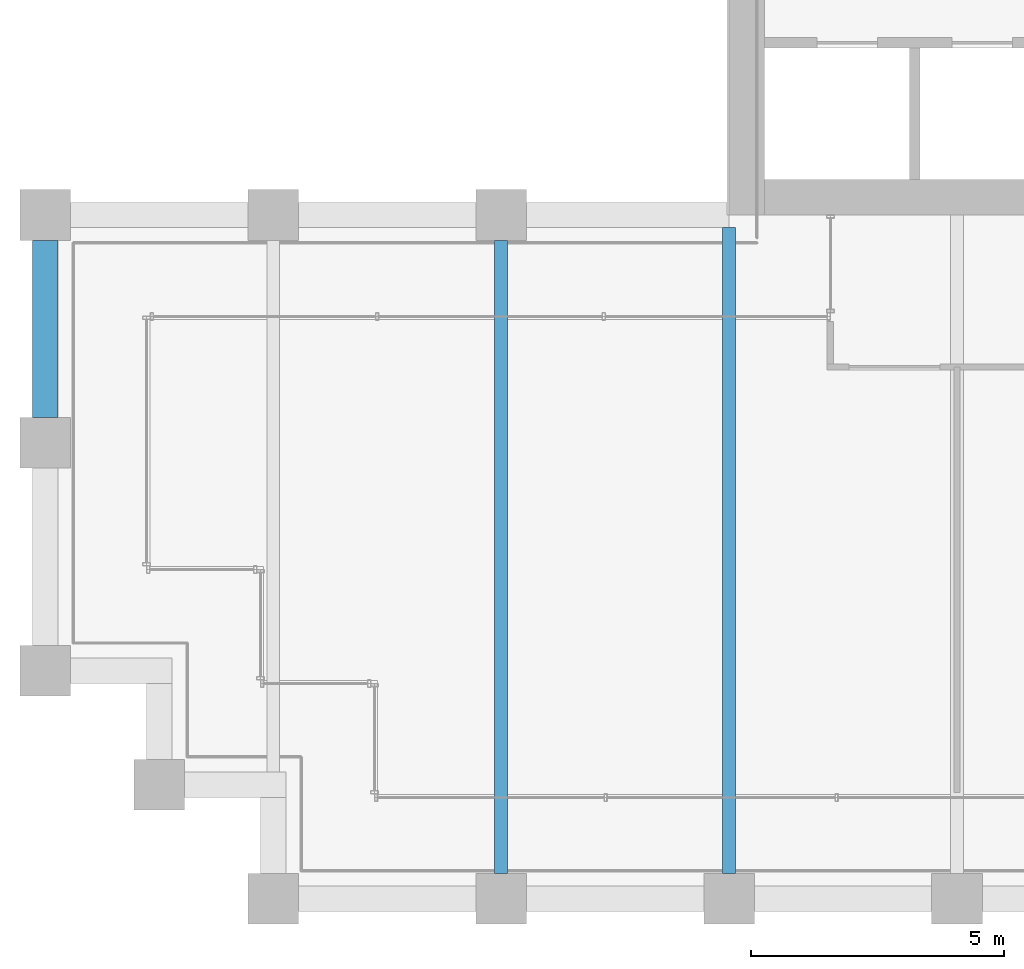
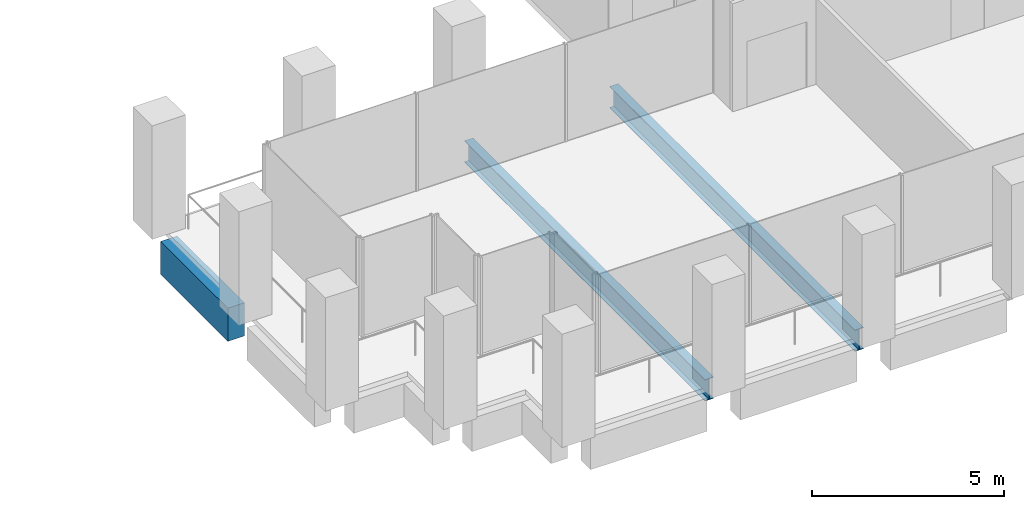
# One storey, part 4 of 46: 3 beams.
"""IFC4 building model written with IfcOpenShell, lengths in metres."""

from ifc_helpers import new_model, si_unit, direction, frame, origin, origin_2d, place, context, subcontext, project, spatial, rectangle, i_section, extrude, material, material_profile, profile_set, type_object, element, save


model = new_model("IFC4")

# Units and contexts
model_context = context("Model", 3, precision=1e-05, world=origin(), true_north=direction((0.0, 1.0)))
body_context = subcontext(model_context, "Body", "Model", "MODEL_VIEW")
ifc_project = project(units=[si_unit("LENGTHUNIT", "METRE"), si_unit("AREAUNIT", "SQUARE_METRE"), si_unit("VOLUMEUNIT", "CUBIC_METRE"), si_unit("PLANEANGLEUNIT", "RADIAN"), si_unit("MASSUNIT", "GRAM", prefix="KILO")], contexts=[model_context])

# Site, building, storey
site_placement = place(None, origin())
site = spatial("IfcSite", under=ifc_project, at=site_placement, CompositionType="ELEMENT")
building_placement = place(site_placement, origin())
building = spatial("IfcBuilding", under=site, at=building_placement, Name="Altepetl Exchange Towers", CompositionType="ELEMENT")
storey_placement = place(building_placement, frame((0.0, 0.0, 102.800048828125)))
storey = spatial("IfcBuildingStorey", under=building, at=storey_placement, Name="L25", CompositionType="ELEMENT", Elevation=102.800048828125)

# Beams
ifc_material_1 = material(Name="Steel S355", Category="steel")
ifc_material_profile_1 = material_profile(ifc_material_1, i_section(OverallWidth=0.25390625, OverallDepth=0.68408203125, WebThickness=0.012451171875, FlangeThickness=0.018798828125, at=origin_2d()), Name="W27X94")
ifc_profile_set_1 = profile_set([ifc_material_profile_1], Name="Steel S355")
beam_type_1 = type_object("IfcBeamType", Name="Floor beam W27X94", PredefinedType="BEAM", material=ifc_profile_set_1)
beam_1_placement = place(storey_placement, frame((36.0, 27.5, -0.491943359375), z_axis=(0.0, 1.0, 0.0), x_axis=(-1.0, 0.0, 0.0)))
element("IfcBeam", 1, at=beam_1_placement, inside=storey, type_object=beam_type_1, Name="bm:A:L25:013", PredefinedType="BEAM", context=body_context, shape_type="SweptSolid", body=[
    extrude(i_section(OverallWidth=0.25390625, OverallDepth=0.68408203125, WebThickness=0.012451171875, FlangeThickness=0.018798828125, at=origin_2d()), origin(), (0.0, 0.0, 1.0), 12.5),
])
beam_2_placement = place(storey_placement, frame((40.5, 27.5, -0.491943359375), z_axis=(0.0, 1.0, 0.0), x_axis=(-1.0, 0.0, 0.0)))
element("IfcBeam", 2, at=beam_2_placement, inside=storey, type_object=beam_type_1, Name="bm:A:L25:014", PredefinedType="BEAM", context=body_context, shape_type="SweptSolid", body=[
    extrude(i_section(OverallWidth=0.25390625, OverallDepth=0.68408203125, WebThickness=0.012451171875, FlangeThickness=0.018798828125, at=origin_2d()), origin(), (0.0, 0.0, 1.0), 12.75),
])
ifc_material_2 = material(Name="Concrete C50/60 precast with cantera blanca facing", Category="concrete")
ifc_material_profile_2 = material_profile(ifc_material_2, rectangle(XDim=0.5, YDim=1.050048828125, at=origin_2d()), Name="500 x 1050")
ifc_profile_set_2 = profile_set([ifc_material_profile_2], Name="Concrete C50/60 precast with cantera blanca facing")
beam_type_2 = type_object("IfcBeamType", Name="Spandrel beam 500x1050 cantera blanca", PredefinedType="SPANDREL", material=ifc_profile_set_2)
beam_3_placement = place(storey_placement, frame((27.0, 40.0, -0.675048828125), z_axis=(0.0, -1.0, 0.0), x_axis=(1.0, 0.0, 0.0)))
element("IfcBeam", 3, at=beam_3_placement, inside=storey, type_object=beam_type_2, Name="sp:A:L25:036", PredefinedType="SPANDREL", context=body_context, shape_type="SweptSolid", body=[
    extrude(rectangle(XDim=0.5, YDim=1.050048828125, at=origin_2d()), origin(), (0.0, 0.0, 1.0), 3.5),
])

save(model, "model.ifc")
